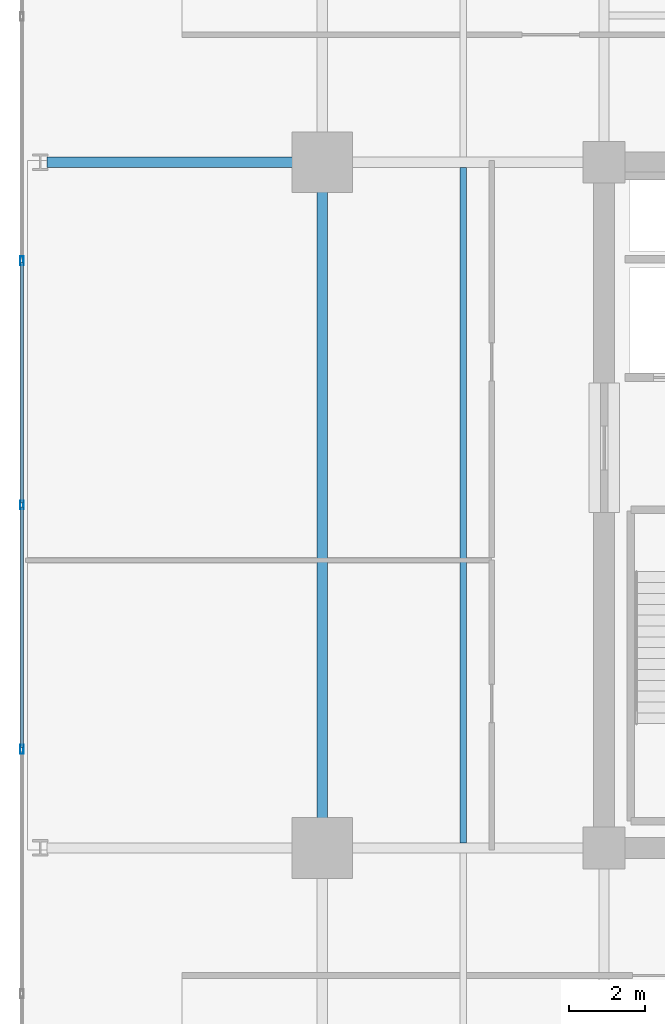
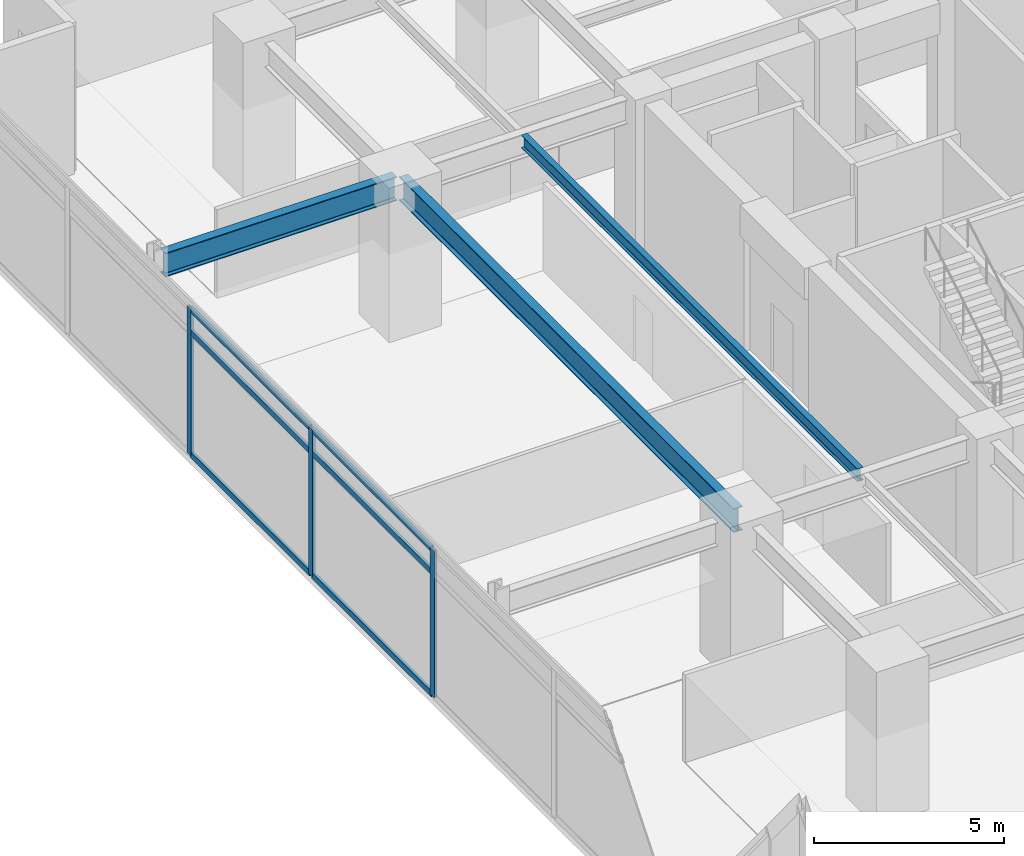
# One storey, part 6 of 20: 9 members, 3 beams, 1 element without a shape of its own.
"""IFC4 building model written with IfcOpenShell, lengths in metres."""

from ifc_helpers import new_model, si_unit, direction, frame, origin, origin_2d, place, context, subcontext, project, spatial, hollow_rectangle, i_section, extrude, material, material_profile, profile_set, type_object, element, aggregate, save


model = new_model("IFC4")

# Units and contexts
model_context = context("Model", 3, precision=1e-05, world=origin(), true_north=direction((0.0, 1.0)))
body_context = subcontext(model_context, "Body", "Model", "MODEL_VIEW")
ifc_project = project(units=[si_unit("LENGTHUNIT", "METRE"), si_unit("AREAUNIT", "SQUARE_METRE"), si_unit("VOLUMEUNIT", "CUBIC_METRE"), si_unit("PLANEANGLEUNIT", "RADIAN"), si_unit("MASSUNIT", "GRAM", prefix="KILO")], contexts=[model_context])

# Site, building, storey
site_placement = place(None, origin())
site = spatial("IfcSite", under=ifc_project, at=site_placement, CompositionType="ELEMENT")
building_placement = place(site_placement, origin())
building = spatial("IfcBuilding", under=site, at=building_placement, Name="Kovane Verandah Tower", CompositionType="ELEMENT")
storey_placement = place(building_placement, frame((0.0, 0.0, 123.39990234375)))
storey = spatial("IfcBuildingStorey", under=building, at=storey_placement, Name="L28", CompositionType="ELEMENT", Elevation=123.39990234375)

# Beams
ifc_material_1 = material(Name="Steel S355", Category="steel")
ifc_material_profile_1 = material_profile(ifc_material_1, i_section(OverallWidth=0.26806640625, OverallDepth=0.769775390625, WebThickness=0.015625, FlangeThickness=0.025390625, FilletRadius=0.0166015625, at=origin_2d()), Name="UB762x267x197")
ifc_profile_set_1 = profile_set([ifc_material_profile_1], Name="Steel S355")
beam_type_1 = type_object("IfcBeamType", Name="BM-UB762x197", PredefinedType="BEAM", material=ifc_profile_set_1)
beam_1_placement = place(storey_placement, frame((21.60009765625, 18.679931640625, 4.39013671875), z_axis=(0.0, 1.0, 0.0), x_axis=(-1.0, 0.0, 0.0)))
element("IfcBeam", 1, at=beam_1_placement, inside=storey, type_object=beam_type_1, Name="L28 Primary Tower Girder G-RW2", PredefinedType="BEAM", context=body_context, shape_type="SweptSolid", body=[
    extrude(i_section(OverallWidth=0.26806640625, OverallDepth=0.769775390625, WebThickness=0.015625, FlangeThickness=0.025390625, FilletRadius=0.0166015625, at=origin_2d()), origin(), (0.0, 0.0, 1.0), 17.64013671875),
])
beam_2_placement = place(storey_placement, frame((21.419921875, 36.5, 4.375244140625), z_axis=(-1.0, 0.0, 0.0), x_axis=(0.0, -1.0, 0.0)))
element("IfcBeam", 2, at=beam_2_placement, inside=storey, type_object=beam_type_1, Name="L28 Primary Tower Girder G-VW2", PredefinedType="BEAM", context=body_context, shape_type="SweptSolid", body=[
    extrude(i_section(OverallWidth=0.26806640625, OverallDepth=0.769775390625, WebThickness=0.015625, FlangeThickness=0.025390625, FilletRadius=0.0166015625, at=origin_2d()), origin(), (0.0, 0.0, 1.0), 7.0400390625),
])

# Curtain wall, members
ifc_material_2 = material(Name="Champagne Anodised Aluminium Frame with Low-E Clear Laminated Glass", Category="aluminium")
curtain_wall_type = type_object("IfcCurtainWallType", Name="CW-SYS-03-MID", PredefinedType="NOTDEFINED", material=ifc_material_2)
curtain_wall_placement = place(storey_placement, origin())
curtain_wall = element("IfcCurtainWall", 3, at=curtain_wall_placement, inside=storey, type_object=curtain_wall_type, Name="L28 W Unitised Curtain Wall", PredefinedType="NOTDEFINED")
ifc_material_3 = material(Name="Champagne Anodised Aluminium 6063-T6", Category="aluminium")
ifc_material_profile_2 = material_profile(ifc_material_3, hollow_rectangle(XDim=0.0849609375, YDim=0.22998046875, WallThickness=0.00390625, at=origin_2d()), Name="AL85x230x4")
ifc_profile_set_2 = profile_set([ifc_material_profile_2], Name="Champagne Anodised Aluminium 6063-T6")
member_type_1 = type_object("IfcMemberType", Name="CW-MUL-85x230", PredefinedType="MULLION", material=ifc_profile_set_2)
member_1_placement = place(storey_placement, frame((13.71533203125, 33.9130859375, 0.02001953125), z_axis=(0.0, 0.0, 1.0), x_axis=(-1.0, 0.0, 0.0)))
member_1 = element("IfcMember", 4, at=member_1_placement, type_object=member_type_1, Name="L28 W Unitised Curtain Wall Mullion 3", PredefinedType="MULLION", context=body_context, shape_type="SweptSolid", body=[
    extrude(hollow_rectangle(XDim=0.0849609375, YDim=0.22998046875, WallThickness=0.00390625, at=origin_2d()), origin(), (0.0, 0.0, 1.0), 4.735107421875),
])
member_2_placement = place(storey_placement, frame((13.71533203125, 27.5, 0.02001953125), z_axis=(0.0, 0.0, 1.0), x_axis=(-1.0, 0.0, 0.0)))
member_2 = element("IfcMember", 5, at=member_2_placement, type_object=member_type_1, Name="L28 W Unitised Curtain Wall Mullion 4", PredefinedType="MULLION", context=body_context, shape_type="SweptSolid", body=[
    extrude(hollow_rectangle(XDim=0.0849609375, YDim=0.22998046875, WallThickness=0.00390625, at=origin_2d()), origin(), (0.0, 0.0, 1.0), 4.735107421875),
])
member_3_placement = place(storey_placement, frame((13.71533203125, 21.0869140625, 0.02001953125), z_axis=(0.0, 0.0, 1.0), x_axis=(-1.0, 0.0, 0.0)))
member_3 = element("IfcMember", 6, at=member_3_placement, type_object=member_type_1, Name="L28 W Unitised Curtain Wall Mullion 5", PredefinedType="MULLION", context=body_context, shape_type="SweptSolid", body=[
    extrude(hollow_rectangle(XDim=0.0849609375, YDim=0.22998046875, WallThickness=0.00390625, at=origin_2d()), origin(), (0.0, 0.0, 1.0), 4.735107421875),
])
ifc_material_profile_3 = material_profile(ifc_material_3, hollow_rectangle(XDim=0.0849609375, YDim=0.18994140625, WallThickness=0.00390625, at=origin_2d()), Name="AL85x190x4")
ifc_profile_set_3 = profile_set([ifc_material_profile_3], Name="Champagne Anodised Aluminium 6063-T6")
member_type_2 = type_object("IfcMemberType", Name="CW-TRN-85x190", PredefinedType="USERDEFINED", material=ifc_profile_set_3)
member_4_placement = place(storey_placement, frame((13.71533203125, 33.863037109375, 0.050048828125), z_axis=(0.0, -1.0, 0.0), x_axis=(1.0, 0.0, 0.0)))
member_4 = element("IfcMember", 7, at=member_4_placement, type_object=member_type_2, Name="L28 W Unitised Curtain Wall Transom TB Bay 3", ObjectType="TRANSOM", PredefinedType="USERDEFINED", context=body_context, shape_type="SweptSolid", body=[
    extrude(hollow_rectangle(XDim=0.0849609375, YDim=0.18994140625, WallThickness=0.00390625, at=origin_2d()), origin(), (0.0, 0.0, 1.0), 6.31298828125),
])
member_5_placement = place(storey_placement, frame((13.71533203125, 33.863037109375, 3.9951171875), z_axis=(0.0, -1.0, 0.0), x_axis=(1.0, 0.0, 0.0)))
member_5 = element("IfcMember", 8, at=member_5_placement, type_object=member_type_2, Name="L28 W Unitised Curtain Wall Transom TM Bay 3", ObjectType="TRANSOM", PredefinedType="USERDEFINED", context=body_context, shape_type="SweptSolid", body=[
    extrude(hollow_rectangle(XDim=0.0849609375, YDim=0.18994140625, WallThickness=0.00390625, at=origin_2d()), origin(), (0.0, 0.0, 1.0), 6.31298828125),
])
member_6_placement = place(storey_placement, frame((13.71533203125, 33.863037109375, 4.72509765625), z_axis=(0.0, -1.0, 0.0), x_axis=(1.0, 0.0, 0.0)))
member_6 = element("IfcMember", 9, at=member_6_placement, type_object=member_type_2, Name="L28 W Unitised Curtain Wall Transom TT Bay 3", ObjectType="TRANSOM", PredefinedType="USERDEFINED", context=body_context, shape_type="SweptSolid", body=[
    extrude(hollow_rectangle(XDim=0.0849609375, YDim=0.18994140625, WallThickness=0.00390625, at=origin_2d()), origin(), (0.0, 0.0, 1.0), 6.31298828125),
])
member_7_placement = place(storey_placement, frame((13.71533203125, 27.449951171875, 0.050048828125), z_axis=(0.0, -1.0, 0.0), x_axis=(1.0, 0.0, 0.0)))
member_7 = element("IfcMember", 10, at=member_7_placement, type_object=member_type_2, Name="L28 W Unitised Curtain Wall Transom TB Bay 4", ObjectType="TRANSOM", PredefinedType="USERDEFINED", context=body_context, shape_type="SweptSolid", body=[
    extrude(hollow_rectangle(XDim=0.0849609375, YDim=0.18994140625, WallThickness=0.00390625, at=origin_2d()), origin(), (0.0, 0.0, 1.0), 6.31298828125),
])
member_8_placement = place(storey_placement, frame((13.71533203125, 27.449951171875, 3.9951171875), z_axis=(0.0, -1.0, 0.0), x_axis=(1.0, 0.0, 0.0)))
member_8 = element("IfcMember", 11, at=member_8_placement, type_object=member_type_2, Name="L28 W Unitised Curtain Wall Transom TM Bay 4", ObjectType="TRANSOM", PredefinedType="USERDEFINED", context=body_context, shape_type="SweptSolid", body=[
    extrude(hollow_rectangle(XDim=0.0849609375, YDim=0.18994140625, WallThickness=0.00390625, at=origin_2d()), origin(), (0.0, 0.0, 1.0), 6.31298828125),
])
member_9_placement = place(storey_placement, frame((13.71533203125, 27.449951171875, 4.72509765625), z_axis=(0.0, -1.0, 0.0), x_axis=(1.0, 0.0, 0.0)))
member_9 = element("IfcMember", 12, at=member_9_placement, type_object=member_type_2, Name="L28 W Unitised Curtain Wall Transom TT Bay 4", ObjectType="TRANSOM", PredefinedType="USERDEFINED", context=body_context, shape_type="SweptSolid", body=[
    extrude(hollow_rectangle(XDim=0.0849609375, YDim=0.18994140625, WallThickness=0.00390625, at=origin_2d()), origin(), (0.0, 0.0, 1.0), 6.31298828125),
])
aggregate(curtain_wall, [member_1, member_2, member_3, member_4, member_5, member_6, member_7, member_8, member_9])

# Beam
ifc_material_profile_4 = material_profile(ifc_material_1, i_section(OverallWidth=0.179443359375, OverallDepth=0.412841796875, WebThickness=0.009521484375, FlangeThickness=0.01611328125, FilletRadius=0.01025390625, at=origin_2d()), Name="UB406x178x74")
ifc_profile_set_4 = profile_set([ifc_material_profile_4], Name="Steel S355")
beam_type_2 = type_object("IfcBeamType", Name="JST-UB406x74", PredefinedType="JOIST", material=ifc_profile_set_4)
beam_3_placement = place(storey_placement, frame((25.300048828125, 18.632080078125, 4.568603515625), z_axis=(0.0, 1.0, 0.0), x_axis=(-1.0, 0.0, 0.0)))
element("IfcBeam", 13, at=beam_3_placement, inside=storey, type_object=beam_type_2, Name="L28 Secondary Composite Joist J-W1", PredefinedType="JOIST", context=body_context, shape_type="SweptSolid", body=[
    extrude(i_section(OverallWidth=0.179443359375, OverallDepth=0.412841796875, WebThickness=0.009521484375, FlangeThickness=0.01611328125, FilletRadius=0.01025390625, at=origin_2d()), origin(), (0.0, 0.0, 1.0), 17.73583984375),
])

save(model, "model.ifc")
